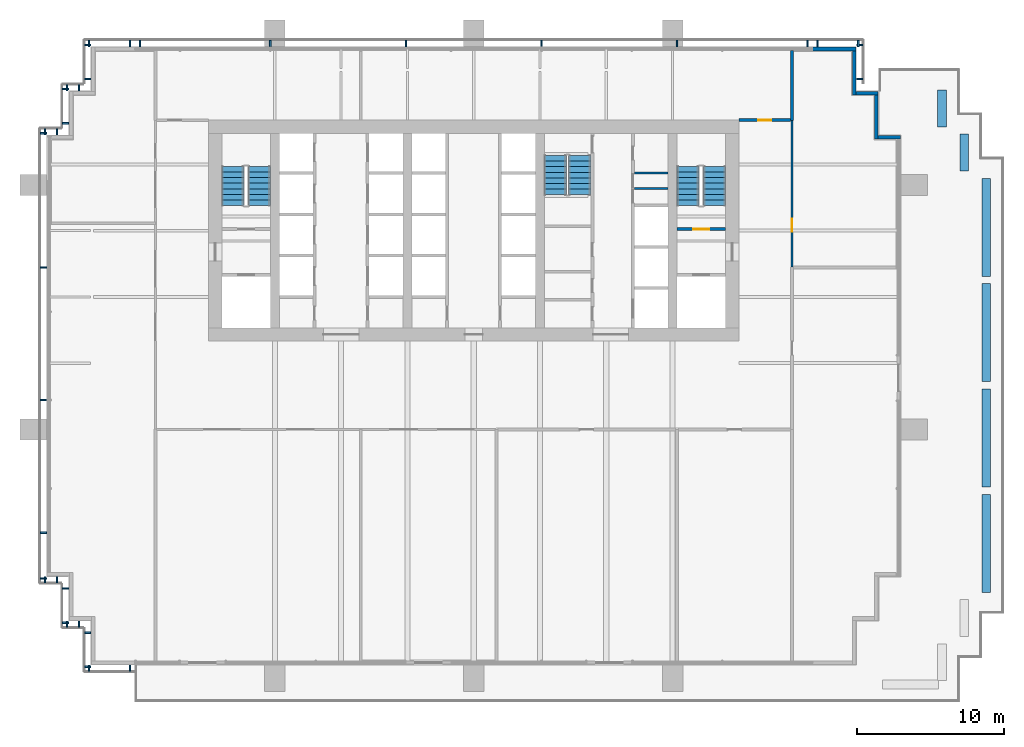
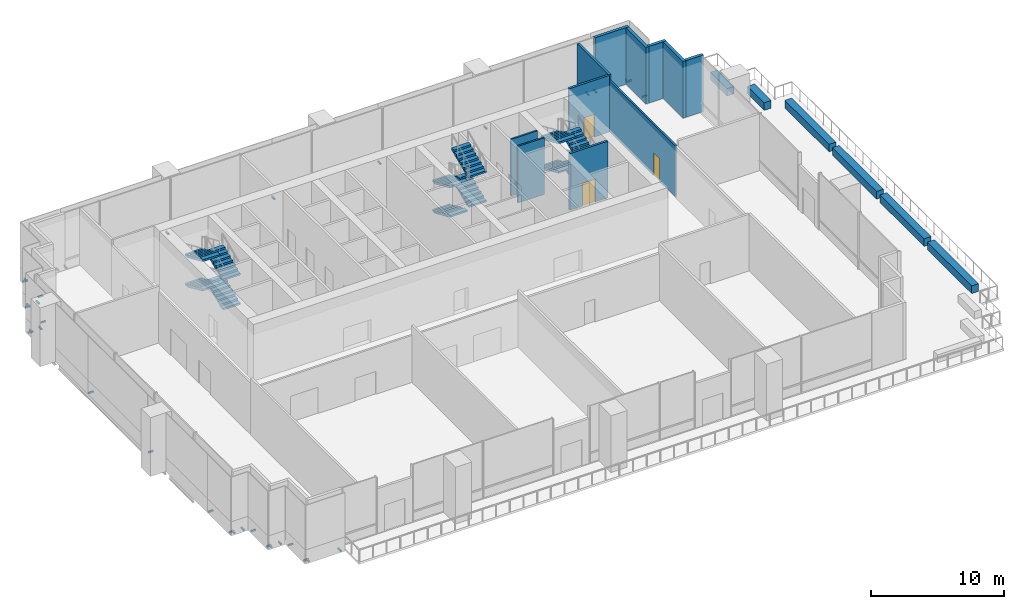
# One storey, part 10 of 14: 35 discrete accessories, 17 walls, 12 stair flights, 3 doors, 3 openings, 3 elements without a shape of their own.
"""IFC4 building model written with IfcOpenShell, lengths in metres."""

from ifc_helpers import new_model, si_unit, direction, frame, frame_2d, origin, origin_2d, place, context, subcontext, project, spatial, polyline, rectangle, outline, extrude, material, layer, layer_set, type_object, element, fill, aggregate, save


model = new_model("IFC4")

# Units and contexts
model_context = context("Model", 3, precision=1e-05, world=origin(), true_north=direction((0.0, 1.0)))
body_context = subcontext(model_context, "Body", "Model", "MODEL_VIEW")
ifc_project = project(units=[si_unit("LENGTHUNIT", "METRE"), si_unit("AREAUNIT", "SQUARE_METRE"), si_unit("VOLUMEUNIT", "CUBIC_METRE"), si_unit("PLANEANGLEUNIT", "RADIAN"), si_unit("MASSUNIT", "GRAM", prefix="KILO")], contexts=[model_context])

# Site, building, storey
site_placement = place(None, origin())
site = spatial("IfcSite", under=ifc_project, at=site_placement, CompositionType="ELEMENT")
building_placement = place(site_placement, origin())
building = spatial("IfcBuilding", under=site, at=building_placement, Name="Rattan Terrace Tower", CompositionType="ELEMENT")
storey_placement = place(building_placement, frame((0.0, 0.0, 120.699951171875)))
storey = spatial("IfcBuildingStorey", under=building, at=storey_placement, Name="L27", CompositionType="ELEMENT", Elevation=120.699951171875)

# Walls
ifc_material_1 = material(Name="Gypsum board partition")
ifc_layer_1 = layer(ifc_material_1, 0.14990234375)
ifc_layer_set_1 = layer_set([ifc_layer_1], Name="Core partition 150")
wall_type_1 = type_object("IfcWallType", Name="Core partition 150", PredefinedType="PARTITIONING", material=ifc_layer_set_1)
for number, where, z_axis, x_axis, name in (
    (1, (10.89990234375, 2.85595703125, 0.0), (0.0, 0.0, 1.0), (1.0, 0.0, 0.0), "Riser room wall"),
    (2, (10.89990234375, 3.912109375, 0.0), (0.0, 0.0, 1.0), (1.0, 0.0, 0.0), "Riser room wall"),
):
    element("IfcWall", number, at=place(storey_placement, frame(where, z_axis=z_axis, x_axis=x_axis)), inside=storey, type_object=wall_type_1, Name=name, PredefinedType="PARTITIONING", context=body_context, shape_type="SweptSolid", body=[
        extrude(rectangle(XDim=2.300048828125, YDim=0.14990234375, at=frame_2d((1.14990234375, 0.0))), origin(), (0.0, 0.0, 1.0), 5.199951171875),
    ])

# Wall, opening, door
ifc_material_2 = material(Name="Gypsum board partition")
ifc_layer_2 = layer(ifc_material_2, 0.199951171875)
ifc_layer_set_2 = layer_set([ifc_layer_2], Name="Core partition 200")
wall_type_2 = type_object("IfcWallType", Name="Core partition 200", PredefinedType="PARTITIONING", material=ifc_layer_set_2)
wall_1_placement = place(storey_placement, frame((13.800048828125, 0.10009765625, 0.0), z_axis=(0.0, 0.0, 1.0), x_axis=(1.0, 0.0, 0.0)))
wall_1 = element("IfcWall", 3, at=wall_1_placement, inside=storey, type_object=wall_type_2, Name="Stair enclosure wall", PredefinedType="PARTITIONING", context=body_context, shape_type="SweptSolid", body=[
    extrude(rectangle(XDim=3.300048828125, YDim=0.199951171875, at=frame_2d((1.64990234375, 0.0))), origin(), (0.0, 0.0, 1.0), 5.199951171875),
])
opening_1_placement = place(wall_1_placement, frame((1.10009765625, 0.0, 0.0)))
opening_1 = element("IfcOpeningElement", 4, at=opening_1_placement, cuts=wall_1, Name="Opening L27-D004", PredefinedType="OPENING", context=body_context, shape_type="SweptSolid", body=[
    extrude(rectangle(XDim=1.10009765625, YDim=2.10009765625, at=frame_2d((0.550048828125, 1.050048828125))), frame((0.0, 0.110595703125, 0.0), z_axis=(0.0, -1.0, 0.0), x_axis=(1.0, 0.0, 0.0)), (0.0, 0.0, 1.0), 0.220947265625),
])
ifc_material_3 = material(Name="Hollow-metal fire door leaf")
door_type_1 = type_object("IfcDoorType", Name="Core stair door 1100", OperationType="NOTDEFINED", PredefinedType="DOOR", material=ifc_material_3)
door_1_placement = place(opening_1_placement, origin())
door_1 = element("IfcDoor", 5, at=door_1_placement, inside=storey, type_object=door_type_1, Name="Door L27-D004", OperationType="SINGLE_SWING_RIGHT", OverallHeight=2.10009765625, OverallWidth=1.10009765625, PredefinedType="DOOR", context=body_context, shape_type="SweptSolid", body=[
    extrude(rectangle(XDim=1.10009765625, YDim=2.10009765625, at=frame_2d((0.550048828125, 1.050048828125))), frame((0.0, 0.02490234375, 0.0), z_axis=(0.0, -1.0, 0.0), x_axis=(1.0, 0.0, 0.0)), (0.0, 0.0, 1.0), 0.050048828125),
])
fill(opening_1, door_1)

# Walls
ifc_material_4 = material(Name="Precast concrete C30/37", Category="concrete")
ifc_layer_3 = layer(ifc_material_4, 0.60009765625)
ifc_layer_set_3 = layer_set([ifc_layer_3], Name="Facade Planter Wall 600")
wall_type_3 = type_object("IfcWallType", Name="Facade Planter Wall 600", PredefinedType="SOLIDWALL", material=ifc_layer_set_3)
for number, where, z_axis, x_axis, name in (
    (6, (31.800048828125, 9.550048828125, 0.0), (0.0, 0.0, 1.0), (0.0, -1.0, 0.0), "PLANTER bed L27-1"),
    (7, (33.300048828125, 6.550048828125, 0.0), (0.0, 0.0, 1.0), (0.0, -1.0, 0.0), "PLANTER bed L27-2"),
):
    element("IfcWall", number, at=place(storey_placement, frame(where, z_axis=z_axis, x_axis=x_axis)), inside=storey, type_object=wall_type_3, Name=name, PredefinedType="SOLIDWALL", context=body_context, shape_type="SweptSolid", body=[
        extrude(rectangle(XDim=2.5, YDim=0.60009765625, at=frame_2d((1.25, 0.0))), origin(), (0.0, 0.0, 1.0), 0.699951171875),
    ])
wall_2_placement = place(storey_placement, frame((34.800048828125, 3.550048828125, 0.0), z_axis=(0.0, 0.0, 1.0), x_axis=(0.0, -1.0, 0.0)))
element("IfcWall", 8, at=wall_2_placement, inside=storey, type_object=wall_type_3, Name="PLANTER bed L27-3", PredefinedType="SOLIDWALL", context=body_context, shape_type="SweptSolid", body=[
    extrude(rectangle(XDim=6.650146484375, YDim=0.60009765625, at=frame_2d((3.3251953125, 0.0))), origin(), (0.0, 0.0, 1.0), 0.699951171875),
])
for number, where, z_axis, x_axis, name in (
    (9, (34.800048828125, -3.60009765625, 0.0), (0.0, 0.0, 1.0), (0.0, -1.0, 0.0), "PLANTER bed L27-4"),
    (10, (34.800048828125, -10.75, 0.0), (0.0, 0.0, 1.0), (0.0, -1.0, 0.0), "PLANTER bed L27-5"),
):
    element("IfcWall", number, at=place(storey_placement, frame(where, z_axis=z_axis, x_axis=x_axis)), inside=storey, type_object=wall_type_3, Name=name, PredefinedType="SOLIDWALL", context=body_context, shape_type="SweptSolid", body=[
        extrude(rectangle(XDim=6.64990234375, YDim=0.60009765625, at=frame_2d((3.324951171875, 0.0))), origin(), (0.0, 0.0, 1.0), 0.699951171875),
    ])
wall_3_placement = place(storey_placement, frame((34.800048828125, -17.89990234375, 0.0), z_axis=(0.0, 0.0, 1.0), x_axis=(0.0, -1.0, 0.0)))
element("IfcWall", 11, at=wall_3_placement, inside=storey, type_object=wall_type_3, Name="PLANTER bed L27-6", PredefinedType="SOLIDWALL", context=body_context, shape_type="SweptSolid", body=[
    extrude(rectangle(XDim=6.650146484375, YDim=0.60009765625, at=frame_2d((3.3251953125, 0.0))), origin(), (0.0, 0.0, 1.0), 0.699951171875),
])
ifc_material_5 = material(Name="Insulated aluminium-clad stud wall", Category="aluminium")
ifc_layer_4 = layer(ifc_material_5, 0.25)
ifc_layer_set_4 = layer_set([ifc_layer_4], Name="Facade Riser Wall 250")
wall_type_4 = type_object("IfcWallType", Name="Facade Riser Wall 250", PredefinedType="SOLIDWALL", material=ifc_layer_set_4)
wall_4_placement = place(storey_placement, frame((28.97998046875, 6.330078125, 0.0), z_axis=(0.0, 0.0, 1.0), x_axis=(-1.0, 0.0, 0.0)))
element("IfcWall", 12, at=wall_4_placement, inside=storey, type_object=wall_type_4, Name="Riser wall L27-7", PredefinedType="SOLIDWALL", context=body_context, shape_type="SweptSolid", body=[
    extrude(rectangle(XDim=1.52490234375, YDim=0.25, at=frame_2d((0.762451171875, 0.0))), origin(), (0.0, 0.0, 1.0), 5.199951171875),
])
wall_5_placement = place(storey_placement, frame((27.330078125, 6.205078125, 0.0), z_axis=(0.0, 0.0, 1.0), x_axis=(0.0, 1.0, 0.0)))
element("IfcWall", 13, at=wall_5_placement, inside=storey, type_object=wall_type_4, Name="Riser wall L27-8", PredefinedType="SOLIDWALL", context=body_context, shape_type="SweptSolid", body=[
    extrude(rectangle(XDim=3.0, YDim=0.25, at=frame_2d((1.5, 0.0))), origin(), (0.0, 0.0, 1.0), 5.199951171875),
])
wall_6_placement = place(storey_placement, frame((27.455078125, 9.330078125, 0.0), z_axis=(0.0, 0.0, 1.0), x_axis=(-1.0, 0.0, 0.0)))
element("IfcWall", 14, at=wall_6_placement, inside=storey, type_object=wall_type_4, Name="Riser wall L27-9", PredefinedType="SOLIDWALL", context=body_context, shape_type="SweptSolid", body=[
    extrude(rectangle(XDim=1.5, YDim=0.25, at=frame_2d((0.75, 0.0))), origin(), (0.0, 0.0, 1.0), 5.199951171875),
])
wall_7_placement = place(storey_placement, frame((25.830078125, 9.205078125, 0.0), z_axis=(0.0, 0.0, 1.0), x_axis=(0.0, 1.0, 0.0)))
element("IfcWall", 15, at=wall_7_placement, inside=storey, type_object=wall_type_4, Name="Riser wall L27-10", PredefinedType="SOLIDWALL", context=body_context, shape_type="SweptSolid", body=[
    extrude(rectangle(XDim=3.0, YDim=0.25, at=frame_2d((1.5, 0.0))), origin(), (0.0, 0.0, 1.0), 5.199951171875),
])
wall_8_placement = place(storey_placement, frame((25.955078125, 12.330078125, 0.0), z_axis=(0.0, 0.0, 1.0), x_axis=(-1.0, 0.0, 0.0)))
element("IfcWall", 16, at=wall_8_placement, inside=storey, type_object=wall_type_4, Name="Riser wall L27-11", PredefinedType="SOLIDWALL", context=body_context, shape_type="SweptSolid", body=[
    extrude(rectangle(XDim=2.955078125, YDim=0.25, at=frame_2d((1.4775390625, 0.0))), origin(), (0.0, 0.0, 1.0), 5.199951171875),
])

# Wall, opening, door
ifc_material_6 = material(Name="Concrete block wall, plastered", Category="concrete")
ifc_layer_5 = layer(ifc_material_6, 0.199951171875)
ifc_layer_set_5 = layer_set([ifc_layer_5], Name="Floors Plant Wall 200")
wall_type_5 = type_object("IfcWallType", Name="Floors Plant Wall 200", PredefinedType="PARTITIONING", material=ifc_layer_set_5)
wall_9_placement = place(storey_placement, frame((18.0, 7.4990234375, 0.0), z_axis=(0.0, 0.0, 1.0), x_axis=(1.0, 0.0, 0.0)))
wall_9 = element("IfcWall", 17, at=wall_9_placement, inside=storey, type_object=wall_type_5, Name="pt-L27-009", PredefinedType="PARTITIONING", context=body_context, shape_type="SweptSolid", body=[
    extrude(rectangle(XDim=3.5, YDim=0.199951171875, at=frame_2d((1.75, 0.0))), origin(), (0.0, 0.0, 1.0), 5.199951171875),
])
opening_2_placement = place(wall_9_placement, frame((1.300048828125, 0.0, 0.0)))
opening_2 = element("IfcOpeningElement", 18, at=opening_2_placement, cuts=wall_9, Name="Opening L27-D108", PredefinedType="OPENING", context=body_context, shape_type="SweptSolid", body=[
    extrude(rectangle(XDim=0.89990234375, YDim=2.10009765625, at=frame_2d((0.449951171875, 1.050048828125))), frame((0.0, 0.110595703125, 0.0), z_axis=(0.0, -1.0, 0.0), x_axis=(1.0, 0.0, 0.0)), (0.0, 0.0, 1.0), 0.220947265625),
])
ifc_material_7 = material(Name="Steel fire door set", Category="steel")
door_type_2 = type_object("IfcDoorType", Name="Floors Fire Door FD60 900x2100", OperationType="NOTDEFINED", PredefinedType="DOOR", material=ifc_material_7)
door_2_placement = place(opening_2_placement, origin())
door_2 = element("IfcDoor", 19, at=door_2_placement, inside=storey, type_object=door_type_2, Name="d-L27-108", OperationType="SINGLE_SWING_LEFT", OverallHeight=2.10009765625, OverallWidth=0.89990234375, PredefinedType="DOOR", context=body_context, shape_type="SweptSolid", body=[
    extrude(rectangle(XDim=0.89990234375, YDim=2.10009765625, at=frame_2d((0.449951171875, 1.050048828125))), frame((0.0, 0.02490234375, 0.0), z_axis=(0.0, -1.0, 0.0), x_axis=(1.0, 0.0, 0.0)), (0.0, 0.0, 1.0), 0.050048828125),
])
fill(opening_2, door_2)

# Wall
wall_10_placement = place(storey_placement, frame((21.60009765625, 7.47998046875, 0.0), z_axis=(0.0, 0.0, 1.0), x_axis=(0.0, 1.0, 0.0)))
element("IfcWall", 20, at=wall_10_placement, inside=storey, type_object=wall_type_5, Name="pt-L27-019", PredefinedType="PARTITIONING", context=body_context, shape_type="SweptSolid", body=[
    extrude(rectangle(XDim=4.760009765625, YDim=0.199951171875, at=frame_2d((2.3798828125, 0.0))), origin(), (0.0, 0.0, 1.0), 5.199951171875),
])

# Wall, opening, door
ifc_material_8 = material(Name="Gypsum board partition on steel studs, fire rated", Category="steel")
ifc_layer_6 = layer(ifc_material_8, 0.14990234375)
ifc_layer_set_6 = layer_set([ifc_layer_6], Name="Floors Tenancy Wall 150")
wall_type_6 = type_object("IfcWallType", Name="Floors Tenancy Wall 150", PredefinedType="PARTITIONING", material=ifc_layer_set_6)
wall_11_placement = place(storey_placement, frame((21.60009765625, 7.47998046875, 0.0), z_axis=(0.0, 0.0, 1.0), x_axis=(0.0, -1.0, 0.0)))
wall_11 = element("IfcWall", 21, at=wall_11_placement, inside=storey, type_object=wall_type_6, Name="pt-L27-008", PredefinedType="PARTITIONING", context=body_context, shape_type="SweptSolid", body=[
    extrude(rectangle(XDim=9.9599609375, YDim=0.14990234375, at=frame_2d((4.97998046875, 0.0))), origin(), (0.0, 0.0, 1.0), 4.699951171875),
])
opening_3_placement = place(wall_11_placement, frame((6.669921875, 0.0, 0.0)))
opening_3 = element("IfcOpeningElement", 22, at=opening_3_placement, cuts=wall_11, Name="Opening L27-D107", PredefinedType="OPENING", context=body_context, shape_type="SweptSolid", body=[
    extrude(rectangle(XDim=0.89990234375, YDim=2.10009765625, at=frame_2d((0.449951171875, 1.050048828125))), frame((0.0, 0.08544921875, 0.0), z_axis=(0.0, -1.0, 0.0), x_axis=(1.0, 0.0, 0.0)), (0.0, 0.0, 1.0), 0.1708984375),
])
ifc_material_9 = material(Name="Steel fire door set", Category="steel")
door_type_3 = type_object("IfcDoorType", Name="Floors Fire Door FD30S 900x2100", OperationType="NOTDEFINED", PredefinedType="DOOR", material=ifc_material_9)
door_3_placement = place(opening_3_placement, origin())
door_3 = element("IfcDoor", 23, at=door_3_placement, inside=storey, type_object=door_type_3, Name="d-L27-107", OperationType="SINGLE_SWING_RIGHT", OverallHeight=2.10009765625, OverallWidth=0.89990234375, PredefinedType="DOOR", context=body_context, shape_type="SweptSolid", body=[
    extrude(rectangle(XDim=0.89990234375, YDim=2.10009765625, at=frame_2d((0.449951171875, 1.050048828125))), frame((0.0, 0.02490234375, 0.0), z_axis=(0.0, -1.0, 0.0), x_axis=(1.0, 0.0, 0.0)), (0.0, 0.0, 1.0), 0.050048828125),
])
fill(opening_3, door_3)

# Stair, stair flights
ifc_material_10 = material(Name="Concrete C40/50", Category="concrete")
stair_type = type_object("IfcStairType", Name="Core exit stair 1500", PredefinedType="HALF_TURN_STAIR", material=ifc_material_10)
stair_1_placement = place(storey_placement, origin())
stair_1 = element("IfcStair", 24, at=stair_1_placement, inside=storey, type_object=stair_type, Name="L27 exit stair 1", PredefinedType="HALF_TURN_STAIR")
ifc_material_11 = material(Name="Concrete C40/50", Category="concrete")
stair_flight_type = type_object("IfcStairFlightType", Name="Core exit stair flight 1500", PredefinedType="STRAIGHT", material=ifc_material_11)
stair_flight_1_placement = place(storey_placement, frame((-14.550048828125, 1.699951171875, 0.0), z_axis=(0.0, 0.0, 1.0), x_axis=(0.0, 1.0, 0.0)))
stair_flight_1 = element("IfcStairFlight", 25, at=stair_flight_1_placement, type_object=stair_flight_type, Name="S1 flight 1", NumberOfRisers=8, NumberOfTreads=7, PredefinedType="STRAIGHT", RiserHeight=0.16875, TreadLength=0.38, context=body_context, shape_type="SweptSolid", body=[
    extrude(outline(polyline([(0.0, 0.0), (0.0, 0.168701171875), (0.3798828125, 0.168701171875), (0.3798828125, 0.33740234375), (0.760009765625, 0.33740234375), (0.760009765625, 0.50634765625), (1.139892578125, 0.50634765625), (1.139892578125, 0.675048828125), (1.52001953125, 0.675048828125), (1.52001953125, 0.84375), (1.89990234375, 0.84375), (1.89990234375, 1.012451171875), (2.280029296875, 1.012451171875), (2.280029296875, 1.18115234375), (2.659912109375, 1.18115234375), (2.659912109375, 1.35009765625), (2.659912109375, 1.017333984375), (0.369384765625, 0.0), (0.0, 0.0)])), frame((0.0, 0.75, 0.0), z_axis=(0.0, -1.0, 0.0), x_axis=(1.0, 0.0, 0.0)), (0.0, 0.0, 1.0), 1.5),
])
stair_flight_2_placement = place(storey_placement, frame((-16.35009765625, 4.360107421875, 1.35009765625), z_axis=(0.0, 0.0, 1.0), x_axis=(0.0, -1.0, 0.0)))
stair_flight_2 = element("IfcStairFlight", 26, at=stair_flight_2_placement, type_object=stair_flight_type, Name="S1 flight 2", NumberOfRisers=8, NumberOfTreads=7, PredefinedType="STRAIGHT", RiserHeight=0.16875, TreadLength=0.38, context=body_context, shape_type="SweptSolid", body=[
    extrude(outline(polyline([(0.0, 0.0), (0.0, 0.168701171875), (0.3798828125, 0.168701171875), (0.3798828125, 0.33740234375), (0.760009765625, 0.33740234375), (0.760009765625, 0.50634765625), (1.139892578125, 0.50634765625), (1.139892578125, 0.675048828125), (1.52001953125, 0.675048828125), (1.52001953125, 0.84375), (1.89990234375, 0.84375), (1.89990234375, 1.012451171875), (2.280029296875, 1.012451171875), (2.280029296875, 1.18115234375), (2.659912109375, 1.18115234375), (2.659912109375, 1.35009765625), (2.659912109375, 1.017333984375), (0.369384765625, 0.0), (0.0, 0.0)])), frame((0.0, 0.75, 0.0), z_axis=(0.0, -1.0, 0.0), x_axis=(1.0, 0.0, 0.0)), (0.0, 0.0, 1.0), 1.5),
])
stair_flight_3_placement = place(storey_placement, frame((-14.550048828125, 1.699951171875, 2.699951171875), z_axis=(0.0, 0.0, 1.0), x_axis=(0.0, 1.0, 0.0)))
stair_flight_3 = element("IfcStairFlight", 27, at=stair_flight_3_placement, type_object=stair_flight_type, Name="S1 flight 3", NumberOfRisers=8, NumberOfTreads=7, PredefinedType="STRAIGHT", RiserHeight=0.16875, TreadLength=0.38, context=body_context, shape_type="SweptSolid", body=[
    extrude(outline(polyline([(0.0, 0.0), (0.0, 0.168701171875), (0.3798828125, 0.168701171875), (0.3798828125, 0.33740234375), (0.760009765625, 0.33740234375), (0.760009765625, 0.50634765625), (1.139892578125, 0.50634765625), (1.139892578125, 0.675048828125), (1.52001953125, 0.675048828125), (1.52001953125, 0.84375), (1.89990234375, 0.84375), (1.89990234375, 1.012451171875), (2.280029296875, 1.012451171875), (2.280029296875, 1.18115234375), (2.659912109375, 1.18115234375), (2.659912109375, 1.35009765625), (2.659912109375, 1.017333984375), (0.369384765625, 0.0), (0.0, 0.0)])), frame((0.0, 0.75, 0.0), z_axis=(0.0, -1.0, 0.0), x_axis=(1.0, 0.0, 0.0)), (0.0, 0.0, 1.0), 1.5),
])
stair_flight_4_placement = place(storey_placement, frame((-16.35009765625, 4.360107421875, 4.050048828125), z_axis=(0.0, 0.0, 1.0), x_axis=(0.0, -1.0, 0.0)))
stair_flight_4 = element("IfcStairFlight", 28, at=stair_flight_4_placement, type_object=stair_flight_type, Name="S1 flight 4", NumberOfRisers=8, NumberOfTreads=7, PredefinedType="STRAIGHT", RiserHeight=0.16875, TreadLength=0.38, context=body_context, shape_type="SweptSolid", body=[
    extrude(outline(polyline([(0.0, 0.0), (0.0, 0.168701171875), (0.3798828125, 0.168701171875), (0.3798828125, 0.33740234375), (0.760009765625, 0.33740234375), (0.760009765625, 0.50634765625), (1.139892578125, 0.50634765625), (1.139892578125, 0.675048828125), (1.52001953125, 0.675048828125), (1.52001953125, 0.84375), (1.89990234375, 0.84375), (1.89990234375, 1.012451171875), (2.280029296875, 1.012451171875), (2.280029296875, 1.18115234375), (2.659912109375, 1.18115234375), (2.659912109375, 1.35009765625), (2.659912109375, 1.017333984375), (0.369384765625, 0.0), (0.0, 0.0)])), frame((0.0, 0.75, 0.0), z_axis=(0.0, -1.0, 0.0), x_axis=(1.0, 0.0, 0.0)), (0.0, 0.0, 1.0), 1.5),
])
aggregate(stair_1, [stair_flight_1, stair_flight_2, stair_flight_3, stair_flight_4])

stair_2_placement = place(storey_placement, origin())
stair_2 = element("IfcStair", 29, at=stair_2_placement, inside=storey, type_object=stair_type, Name="L27 exit stair 2", PredefinedType="HALF_TURN_STAIR")
stair_flight_5_placement = place(storey_placement, frame((16.35009765625, 1.699951171875, 0.0), z_axis=(0.0, 0.0, 1.0), x_axis=(0.0, 1.0, 0.0)))
stair_flight_5 = element("IfcStairFlight", 30, at=stair_flight_5_placement, type_object=stair_flight_type, Name="S2 flight 1", NumberOfRisers=8, NumberOfTreads=7, PredefinedType="STRAIGHT", RiserHeight=0.16875, TreadLength=0.38, context=body_context, shape_type="SweptSolid", body=[
    extrude(outline(polyline([(0.0, 0.0), (0.0, 0.168701171875), (0.3798828125, 0.168701171875), (0.3798828125, 0.33740234375), (0.760009765625, 0.33740234375), (0.760009765625, 0.50634765625), (1.139892578125, 0.50634765625), (1.139892578125, 0.675048828125), (1.52001953125, 0.675048828125), (1.52001953125, 0.84375), (1.89990234375, 0.84375), (1.89990234375, 1.012451171875), (2.280029296875, 1.012451171875), (2.280029296875, 1.18115234375), (2.659912109375, 1.18115234375), (2.659912109375, 1.35009765625), (2.659912109375, 1.017333984375), (0.369384765625, 0.0), (0.0, 0.0)])), frame((0.0, 0.75, 0.0), z_axis=(0.0, -1.0, 0.0), x_axis=(1.0, 0.0, 0.0)), (0.0, 0.0, 1.0), 1.5),
])
stair_flight_6_placement = place(storey_placement, frame((14.550048828125, 4.360107421875, 1.35009765625), z_axis=(0.0, 0.0, 1.0), x_axis=(0.0, -1.0, 0.0)))
stair_flight_6 = element("IfcStairFlight", 31, at=stair_flight_6_placement, type_object=stair_flight_type, Name="S2 flight 2", NumberOfRisers=8, NumberOfTreads=7, PredefinedType="STRAIGHT", RiserHeight=0.16875, TreadLength=0.38, context=body_context, shape_type="SweptSolid", body=[
    extrude(outline(polyline([(0.0, 0.0), (0.0, 0.168701171875), (0.3798828125, 0.168701171875), (0.3798828125, 0.33740234375), (0.760009765625, 0.33740234375), (0.760009765625, 0.50634765625), (1.139892578125, 0.50634765625), (1.139892578125, 0.675048828125), (1.52001953125, 0.675048828125), (1.52001953125, 0.84375), (1.89990234375, 0.84375), (1.89990234375, 1.012451171875), (2.280029296875, 1.012451171875), (2.280029296875, 1.18115234375), (2.659912109375, 1.18115234375), (2.659912109375, 1.35009765625), (2.659912109375, 1.017333984375), (0.369384765625, 0.0), (0.0, 0.0)])), frame((0.0, 0.75, 0.0), z_axis=(0.0, -1.0, 0.0), x_axis=(1.0, 0.0, 0.0)), (0.0, 0.0, 1.0), 1.5),
])
stair_flight_7_placement = place(storey_placement, frame((16.35009765625, 1.699951171875, 2.699951171875), z_axis=(0.0, 0.0, 1.0), x_axis=(0.0, 1.0, 0.0)))
stair_flight_7 = element("IfcStairFlight", 32, at=stair_flight_7_placement, type_object=stair_flight_type, Name="S2 flight 3", NumberOfRisers=8, NumberOfTreads=7, PredefinedType="STRAIGHT", RiserHeight=0.16875, TreadLength=0.38, context=body_context, shape_type="SweptSolid", body=[
    extrude(outline(polyline([(0.0, 0.0), (0.0, 0.168701171875), (0.3798828125, 0.168701171875), (0.3798828125, 0.33740234375), (0.760009765625, 0.33740234375), (0.760009765625, 0.50634765625), (1.139892578125, 0.50634765625), (1.139892578125, 0.675048828125), (1.52001953125, 0.675048828125), (1.52001953125, 0.84375), (1.89990234375, 0.84375), (1.89990234375, 1.012451171875), (2.280029296875, 1.012451171875), (2.280029296875, 1.18115234375), (2.659912109375, 1.18115234375), (2.659912109375, 1.35009765625), (2.659912109375, 1.017333984375), (0.369384765625, 0.0), (0.0, 0.0)])), frame((0.0, 0.75, 0.0), z_axis=(0.0, -1.0, 0.0), x_axis=(1.0, 0.0, 0.0)), (0.0, 0.0, 1.0), 1.5),
])
stair_flight_8_placement = place(storey_placement, frame((14.550048828125, 4.360107421875, 4.050048828125), z_axis=(0.0, 0.0, 1.0), x_axis=(0.0, -1.0, 0.0)))
stair_flight_8 = element("IfcStairFlight", 33, at=stair_flight_8_placement, type_object=stair_flight_type, Name="S2 flight 4", NumberOfRisers=8, NumberOfTreads=7, PredefinedType="STRAIGHT", RiserHeight=0.16875, TreadLength=0.38, context=body_context, shape_type="SweptSolid", body=[
    extrude(outline(polyline([(0.0, 0.0), (0.0, 0.168701171875), (0.3798828125, 0.168701171875), (0.3798828125, 0.33740234375), (0.760009765625, 0.33740234375), (0.760009765625, 0.50634765625), (1.139892578125, 0.50634765625), (1.139892578125, 0.675048828125), (1.52001953125, 0.675048828125), (1.52001953125, 0.84375), (1.89990234375, 0.84375), (1.89990234375, 1.012451171875), (2.280029296875, 1.012451171875), (2.280029296875, 1.18115234375), (2.659912109375, 1.18115234375), (2.659912109375, 1.35009765625), (2.659912109375, 1.017333984375), (0.369384765625, 0.0), (0.0, 0.0)])), frame((0.0, 0.75, 0.0), z_axis=(0.0, -1.0, 0.0), x_axis=(1.0, 0.0, 0.0)), (0.0, 0.0, 1.0), 1.5),
])
aggregate(stair_2, [stair_flight_5, stair_flight_6, stair_flight_7, stair_flight_8])

stair_3_placement = place(storey_placement, origin())
stair_3 = element("IfcStair", 34, at=stair_3_placement, inside=storey, type_object=stair_type, Name="L27 exit stair 3", PredefinedType="HALF_TURN_STAIR")
stair_flight_9_placement = place(storey_placement, frame((5.550048828125, 5.10009765625, 0.0), z_axis=(0.0, 0.0, 1.0), x_axis=(0.0, -1.0, 0.0)))
stair_flight_9 = element("IfcStairFlight", 35, at=stair_flight_9_placement, type_object=stair_flight_type, Name="S3 flight 1", NumberOfRisers=8, NumberOfTreads=7, PredefinedType="STRAIGHT", RiserHeight=0.16875, TreadLength=0.38, context=body_context, shape_type="SweptSolid", body=[
    extrude(outline(polyline([(0.0, 0.0), (0.0, 0.168701171875), (0.3798828125, 0.168701171875), (0.3798828125, 0.33740234375), (0.760009765625, 0.33740234375), (0.760009765625, 0.50634765625), (1.139892578125, 0.50634765625), (1.139892578125, 0.675048828125), (1.52001953125, 0.675048828125), (1.52001953125, 0.84375), (1.89990234375, 0.84375), (1.89990234375, 1.012451171875), (2.280029296875, 1.012451171875), (2.280029296875, 1.18115234375), (2.659912109375, 1.18115234375), (2.659912109375, 1.35009765625), (2.659912109375, 1.017333984375), (0.369384765625, 0.0), (0.0, 0.0)])), frame((0.0, 0.75, 0.0), z_axis=(0.0, -1.0, 0.0), x_axis=(1.0, 0.0, 0.0)), (0.0, 0.0, 1.0), 1.5),
])
stair_flight_10_placement = place(storey_placement, frame((7.199951171875, 2.43994140625, 1.35009765625), z_axis=(0.0, 0.0, 1.0), x_axis=(0.0, 1.0, 0.0)))
stair_flight_10 = element("IfcStairFlight", 36, at=stair_flight_10_placement, type_object=stair_flight_type, Name="S3 flight 2", NumberOfRisers=8, NumberOfTreads=7, PredefinedType="STRAIGHT", RiserHeight=0.16875, TreadLength=0.38, context=body_context, shape_type="SweptSolid", body=[
    extrude(outline(polyline([(0.0, 0.0), (0.0, 0.168701171875), (0.3798828125, 0.168701171875), (0.3798828125, 0.33740234375), (0.760009765625, 0.33740234375), (0.760009765625, 0.50634765625), (1.139892578125, 0.50634765625), (1.139892578125, 0.675048828125), (1.52001953125, 0.675048828125), (1.52001953125, 0.84375), (1.89990234375, 0.84375), (1.89990234375, 1.012451171875), (2.280029296875, 1.012451171875), (2.280029296875, 1.18115234375), (2.659912109375, 1.18115234375), (2.659912109375, 1.35009765625), (2.659912109375, 1.017333984375), (0.369384765625, 0.0), (0.0, 0.0)])), frame((0.0, 0.75, 0.0), z_axis=(0.0, -1.0, 0.0), x_axis=(1.0, 0.0, 0.0)), (0.0, 0.0, 1.0), 1.5),
])
stair_flight_11_placement = place(storey_placement, frame((5.550048828125, 5.10009765625, 2.699951171875), z_axis=(0.0, 0.0, 1.0), x_axis=(0.0, -1.0, 0.0)))
stair_flight_11 = element("IfcStairFlight", 37, at=stair_flight_11_placement, type_object=stair_flight_type, Name="S3 flight 3", NumberOfRisers=8, NumberOfTreads=7, PredefinedType="STRAIGHT", RiserHeight=0.16875, TreadLength=0.38, context=body_context, shape_type="SweptSolid", body=[
    extrude(outline(polyline([(0.0, 0.0), (0.0, 0.168701171875), (0.3798828125, 0.168701171875), (0.3798828125, 0.33740234375), (0.760009765625, 0.33740234375), (0.760009765625, 0.50634765625), (1.139892578125, 0.50634765625), (1.139892578125, 0.675048828125), (1.52001953125, 0.675048828125), (1.52001953125, 0.84375), (1.89990234375, 0.84375), (1.89990234375, 1.012451171875), (2.280029296875, 1.012451171875), (2.280029296875, 1.18115234375), (2.659912109375, 1.18115234375), (2.659912109375, 1.35009765625), (2.659912109375, 1.017333984375), (0.369384765625, 0.0), (0.0, 0.0)])), frame((0.0, 0.75, 0.0), z_axis=(0.0, -1.0, 0.0), x_axis=(1.0, 0.0, 0.0)), (0.0, 0.0, 1.0), 1.5),
])
stair_flight_12_placement = place(storey_placement, frame((7.199951171875, 2.43994140625, 4.050048828125), z_axis=(0.0, 0.0, 1.0), x_axis=(0.0, 1.0, 0.0)))
stair_flight_12 = element("IfcStairFlight", 38, at=stair_flight_12_placement, type_object=stair_flight_type, Name="S3 flight 4", NumberOfRisers=8, NumberOfTreads=7, PredefinedType="STRAIGHT", RiserHeight=0.16875, TreadLength=0.38, context=body_context, shape_type="SweptSolid", body=[
    extrude(outline(polyline([(0.0, 0.0), (0.0, 0.168701171875), (0.3798828125, 0.168701171875), (0.3798828125, 0.33740234375), (0.760009765625, 0.33740234375), (0.760009765625, 0.50634765625), (1.139892578125, 0.50634765625), (1.139892578125, 0.675048828125), (1.52001953125, 0.675048828125), (1.52001953125, 0.84375), (1.89990234375, 0.84375), (1.89990234375, 1.012451171875), (2.280029296875, 1.012451171875), (2.280029296875, 1.18115234375), (2.659912109375, 1.18115234375), (2.659912109375, 1.35009765625), (2.659912109375, 1.017333984375), (0.369384765625, 0.0), (0.0, 0.0)])), frame((0.0, 0.75, 0.0), z_axis=(0.0, -1.0, 0.0), x_axis=(1.0, 0.0, 0.0)), (0.0, 0.0, 1.0), 1.5),
])
aggregate(stair_3, [stair_flight_9, stair_flight_10, stair_flight_11, stair_flight_12])

# Discrete accessories
for number, where, z_axis, x_axis, name in (
    (39, (26.2099609375, 10.2900390625, -0.169921875), (0.0, 0.0, 1.0), (0.0, 1.0, 0.0), "Panel bracket L27-1"),
    (40, (26.2099609375, 12.610107421875, -0.169921875), (0.0, 0.0, 1.0), (0.0, 1.0, 0.0), "Panel bracket L27-2"),
    (41, (26.110107421875, 12.7099609375, -0.169921875), (0.0, 0.0, 1.0), (-1.0, 0.0, 0.0), "Panel bracket L27-3"),
    (42, (23.340087890625, 12.7099609375, -0.169921875), (0.0, 0.0, 1.0), (-1.0, 0.0, 0.0), "Panel bracket L27-4"),
    (43, (22.659912109375, 12.7099609375, -0.169921875), (0.0, 0.0, 1.0), (-1.0, 0.0, 0.0), "Panel bracket L27-5"),
    (44, (13.799072265625, 12.7099609375, -0.169921875), (0.0, 0.0, 1.0), (-1.0, 0.0, 0.0), "Panel bracket L27-6"),
    (45, (4.597900390625, 12.7099609375, -0.169921875), (0.0, 0.0, 1.0), (-1.0, 0.0, 0.0), "Panel bracket L27-7"),
    (46, (-4.60302734375, 12.7099609375, -0.169921875), (0.0, 0.0, 1.0), (-1.0, 0.0, 0.0), "Panel bracket L27-8"),
    (47, (-13.803955078125, 12.7099609375, -0.169921875), (0.0, 0.0, 1.0), (-1.0, 0.0, 0.0), "Panel bracket L27-9"),
    (48, (-22.659912109375, 12.7099609375, -0.169921875), (0.0, 0.0, 1.0), (-1.0, 0.0, 0.0), "Panel bracket L27-10"),
    (49, (-23.340087890625, 12.7099609375, -0.169921875), (0.0, 0.0, 1.0), (-1.0, 0.0, 0.0), "Panel bracket L27-11"),
    (50, (-26.110107421875, 12.7099609375, -0.169921875), (0.0, 0.0, 1.0), (-1.0, 0.0, 0.0), "Panel bracket L27-12"),
    (51, (-26.2099609375, 12.610107421875, -0.169921875), (0.0, 0.0, 1.0), (0.0, -1.0, 0.0), "Panel bracket L27-13"),
    (52, (-26.2099609375, 10.2900390625, -0.169921875), (0.0, 0.0, 1.0), (0.0, -1.0, 0.0), "Panel bracket L27-14"),
    (53, (-26.7900390625, 9.7099609375, -0.169921875), (0.0, 0.0, 1.0), (-1.0, 0.0, 0.0), "Panel bracket L27-15"),
    (54, (-27.610107421875, 9.7099609375, -0.169921875), (0.0, 0.0, 1.0), (-1.0, 0.0, 0.0), "Panel bracket L27-16"),
    (55, (-27.7099609375, 9.610107421875, -0.169921875), (0.0, 0.0, 1.0), (0.0, -1.0, 0.0), "Panel bracket L27-17"),
    (56, (-27.7099609375, 7.2900390625, -0.169921875), (0.0, 0.0, 1.0), (0.0, -1.0, 0.0), "Panel bracket L27-18"),
    (57, (-28.2900390625, 6.7099609375, -0.169921875), (0.0, 0.0, 1.0), (-1.0, 0.0, 0.0), "Panel bracket L27-19"),
    (58, (-29.110107421875, 6.7099609375, -0.169921875), (0.0, 0.0, 1.0), (-1.0, 0.0, 0.0), "Panel bracket L27-20"),
    (59, (-29.2099609375, 6.610107421875, -0.169921875), (0.0, 0.0, 1.0), (0.0, -1.0, 0.0), "Panel bracket L27-21"),
    (60, (-29.2099609375, -2.5, -0.169921875), (0.0, 0.0, 1.0), (0.0, -1.0, 0.0), "Panel bracket L27-22"),
    (61, (-29.2099609375, -11.5, -0.169921875), (0.0, 0.0, 1.0), (0.0, -1.0, 0.0), "Panel bracket L27-23"),
    (62, (-29.2099609375, -20.5, -0.169921875), (0.0, 0.0, 1.0), (0.0, -1.0, 0.0), "Panel bracket L27-24"),
    (63, (-29.2099609375, -23.610107421875, -0.169921875), (0.0, 0.0, 1.0), (0.0, -1.0, 0.0), "Panel bracket L27-25"),
    (64, (-29.110107421875, -23.7099609375, -0.169921875), (0.0, 0.0, 1.0), (1.0, 0.0, 0.0), "Panel bracket L27-26"),
    (65, (-28.2900390625, -23.7099609375, -0.169921875), (0.0, 0.0, 1.0), (1.0, 0.0, 0.0), "Panel bracket L27-27"),
    (66, (-27.7099609375, -24.2900390625, -0.169921875), (0.0, 0.0, 1.0), (0.0, -1.0, 0.0), "Panel bracket L27-28"),
    (67, (-27.7099609375, -26.610107421875, -0.169921875), (0.0, 0.0, 1.0), (0.0, -1.0, 0.0), "Panel bracket L27-29"),
    (68, (-27.610107421875, -26.7099609375, -0.169921875), (0.0, 0.0, 1.0), (1.0, 0.0, 0.0), "Panel bracket L27-30"),
    (69, (-26.7900390625, -26.7099609375, -0.169921875), (0.0, 0.0, 1.0), (1.0, 0.0, 0.0), "Panel bracket L27-31"),
    (70, (-26.2099609375, -27.2900390625, -0.169921875), (0.0, 0.0, 1.0), (0.0, -1.0, 0.0), "Panel bracket L27-32"),
    (71, (-26.2099609375, -29.610107421875, -0.169921875), (0.0, 0.0, 1.0), (0.0, -1.0, 0.0), "Panel bracket L27-33"),
    (72, (-26.110107421875, -29.7099609375, -0.169921875), (0.0, 0.0, 1.0), (1.0, 0.0, 0.0), "Panel bracket L27-34"),
    (73, (-23.340087890625, -29.7099609375, -0.169921875), (0.0, 0.0, 1.0), (1.0, 0.0, 0.0), "Panel bracket L27-35"),
):
    element("IfcDiscreteAccessory", number, at=place(storey_placement, frame(where, z_axis=z_axis, x_axis=x_axis)), inside=storey, Name=name, PredefinedType="BRACKET", context=body_context, shape_type="SweptSolid", body=[
        extrude(rectangle(XDim=0.1201171875, YDim=0.419921875, at=origin_2d()), origin(), (0.0, 0.0, 1.0), 0.139892578125),
    ])

save(model, "model.ifc")
